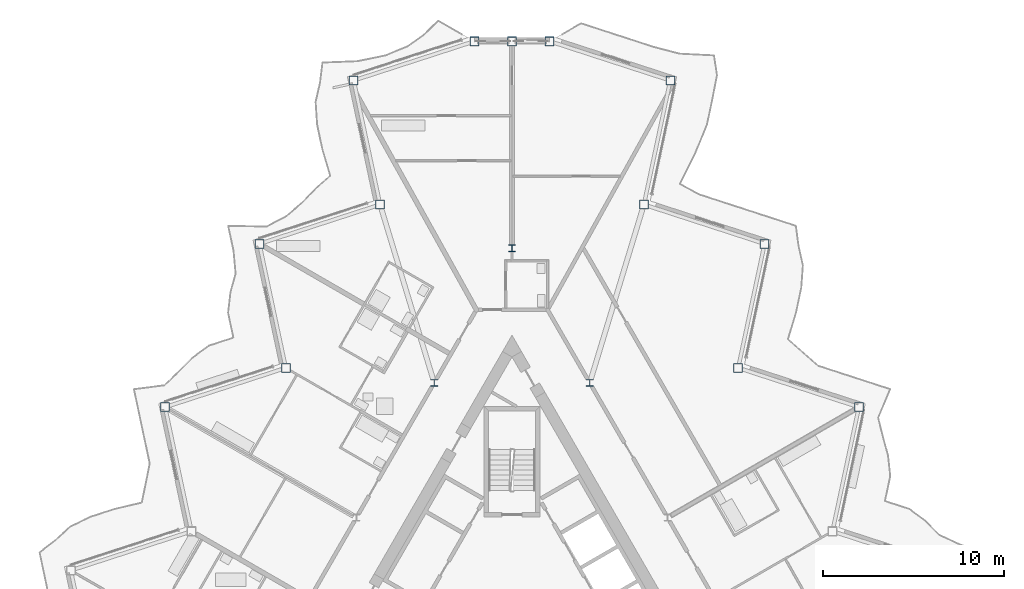
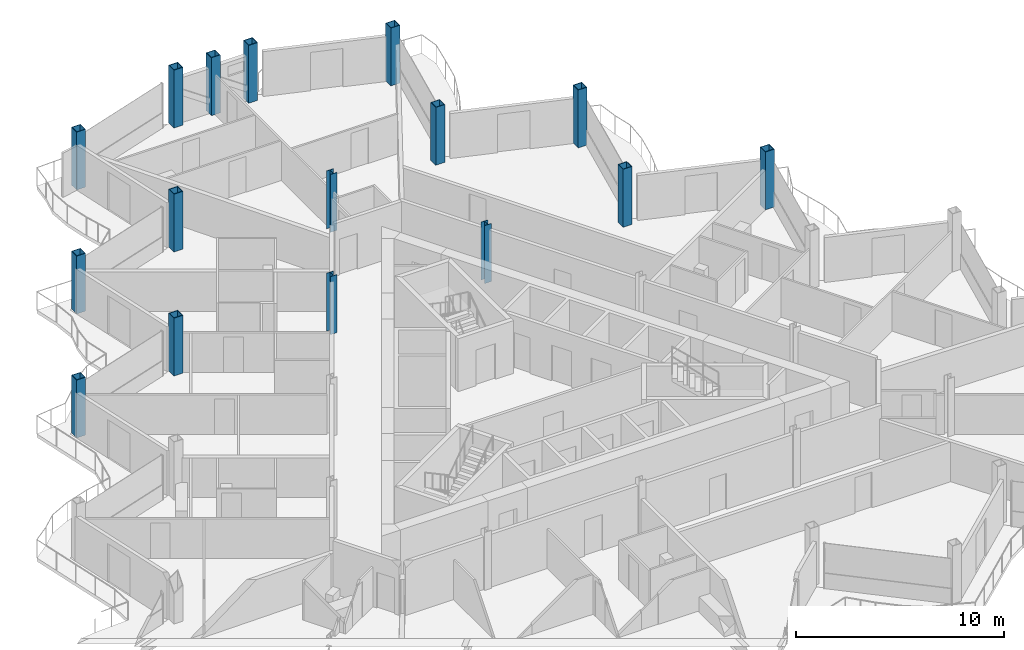
# One storey, part 3 of 26: 16 columns.
"""IFC4 building model written with IfcOpenShell, lengths in metres."""

from ifc_helpers import new_model, si_unit, direction, frame, origin, origin_2d, place, context, subcontext, project, spatial, hollow_rectangle, i_section, extrude, material, material_profile, profile_set, type_object, element, save


model = new_model("IFC4")

# Units and contexts
model_context = context("Model", 3, precision=1e-05, world=origin(), true_north=direction((0.0, 1.0)))
body_context = subcontext(model_context, "Body", "Model", "MODEL_VIEW")
ifc_project = project(units=[si_unit("LENGTHUNIT", "METRE"), si_unit("AREAUNIT", "SQUARE_METRE"), si_unit("VOLUMEUNIT", "CUBIC_METRE"), si_unit("PLANEANGLEUNIT", "RADIAN"), si_unit("MASSUNIT", "GRAM", prefix="KILO")], contexts=[model_context])

# Site, building, storey
site_placement = place(None, origin())
site = spatial("IfcSite", under=ifc_project, at=site_placement, CompositionType="ELEMENT")
building_placement = place(site_placement, origin())
building = spatial("IfcBuilding", under=site, at=building_placement, Name="Cormorant Prow Tower", CompositionType="ELEMENT")
storey_placement = place(building_placement, frame((0.0, 0.0, 381.39990234375)))
storey = spatial("IfcBuildingStorey", under=building, at=storey_placement, Name="L86", CompositionType="ELEMENT", Elevation=381.39990234375)

# Columns
ifc_material_1 = material(Name="Structural steel ASTM A572 Gr 50", Category="steel")
ifc_material_profile_1 = material_profile(ifc_material_1, hollow_rectangle(XDim=0.5, YDim=0.5, WallThickness=0.030029296875, at=origin_2d()), Name="Box 500x500x30")
ifc_profile_set_1 = profile_set([ifc_material_profile_1], Name="Structural steel ASTM A572 Gr 50")
column_type_1 = type_object("IfcColumnType", Name="Perimeter box column 500x500x30", PredefinedType="COLUMN", material=ifc_profile_set_1)
for number, where, z_axis, x_axis, name in (
    (1, (19.128662109375, 11.0439453125, 0.0), (0.0, 0.0, 1.0), (1.0, 0.0, 0.0), "Perimeter column C7 at ENE05 L86"),
    (2, (12.473876953125, 13.206298828125, 0.0), (0.0, 0.0, 1.0), (1.0, 0.0, 0.0), "Perimeter column C7 at ENE06 L86"),
    (3, (13.9287109375, 20.050537109375, 0.0), (0.0, 0.0, 1.0), (1.0, 0.0, 0.0), "Perimeter column C7 at ENE07 L86"),
    (4, (7.273681640625, 22.212890625, 0.0), (0.0, 0.0, 1.0), (1.0, 0.0, 0.0), "Perimeter column C7 at ENE08 L86"),
    (5, (8.728515625, 29.05712890625, 0.0), (0.0, 0.0, 1.0), (1.0, 0.0, 0.0), "Perimeter column C7 at ENE09 L86"),
    (6, (2.07373046875, 31.219482421875, 0.0), (0.0, 0.0, 1.0), (1.0, 0.0, 0.0), "Perimeter column C7 at N00 L86"),
    (7, (0.0, 31.219482421875, 0.0), (0.0, 0.0, 1.0), (1.0, 0.0, 0.0), "Perimeter column C7 at N01 L86"),
    (8, (-2.07373046875, 31.219482421875, 0.0), (0.0, 0.0, 1.0), (1.0, 0.0, 0.0), "Perimeter column C7 at WNW00 L86"),
    (9, (-8.728515625, 29.05712890625, 0.0), (0.0, 0.0, 1.0), (1.0, 0.0, 0.0), "Perimeter column C7 at WNW01 L86"),
    (10, (-7.273681640625, 22.212890625, 0.0), (0.0, 0.0, 1.0), (1.0, 0.0, 0.0), "Perimeter column C7 at WNW02 L86"),
    (11, (-13.9287109375, 20.050537109375, 0.0), (0.0, 0.0, 1.0), (1.0, 0.0, 0.0), "Perimeter column C7 at WNW03 L86"),
    (12, (-12.473876953125, 13.206298828125, 0.0), (0.0, 0.0, 1.0), (1.0, 0.0, 0.0), "Perimeter column C7 at WNW04 L86"),
    (13, (-19.128662109375, 11.0439453125, 0.0), (0.0, 0.0, 1.0), (1.0, 0.0, 0.0), "Perimeter column C7 at WNW05 L86"),
):
    element("IfcColumn", number, at=place(storey_placement, frame(where, z_axis=z_axis, x_axis=x_axis)), inside=storey, type_object=column_type_1, Name=name, PredefinedType="COLUMN", context=body_context, shape_type="SweptSolid", body=[
        extrude(hollow_rectangle(XDim=0.5, YDim=0.5, WallThickness=0.030029296875, at=origin_2d()), origin(), (0.0, 0.0, 1.0), 3.400146484375),
    ])
ifc_material_2 = material(Name="Structural steel ASTM A992 Gr 50", Category="steel")
ifc_material_profile_2 = material_profile(ifc_material_2, i_section(OverallWidth=0.3740234375, OverallDepth=0.372314453125, WebThickness=0.016357421875, FlangeThickness=0.026123046875, at=origin_2d()), Name="W14x132")
ifc_profile_set_2 = profile_set([ifc_material_profile_2], Name="Structural steel ASTM A992 Gr 50")
column_type_2 = type_object("IfcColumnType", Name="Ring column W14x132", PredefinedType="COLUMN", material=ifc_profile_set_2)
for number, where, z_axis, x_axis, name in (
    (14, (0.0, 19.81103515625, 0.0), (0.0, 0.0, 1.0), (1.0, 0.0, 0.0), "Ring column 1 L86"),
    (15, (-4.289306640625, 12.3818359375, 0.0), (0.0, 0.0, 1.0), (1.0, 0.0, 0.0), "Ring column 2 L86"),
    (16, (4.289306640625, 12.3818359375, 0.0), (0.0, 0.0, 1.0), (1.0, 0.0, 0.0), "Ring column 12 L86"),
):
    element("IfcColumn", number, at=place(storey_placement, frame(where, z_axis=z_axis, x_axis=x_axis)), inside=storey, type_object=column_type_2, Name=name, PredefinedType="COLUMN", context=body_context, shape_type="SweptSolid", body=[
        extrude(i_section(OverallWidth=0.3740234375, OverallDepth=0.372314453125, WebThickness=0.016357421875, FlangeThickness=0.026123046875, at=origin_2d()), origin(), (0.0, 0.0, 1.0), 3.400146484375),
    ])

save(model, "model.ifc")
